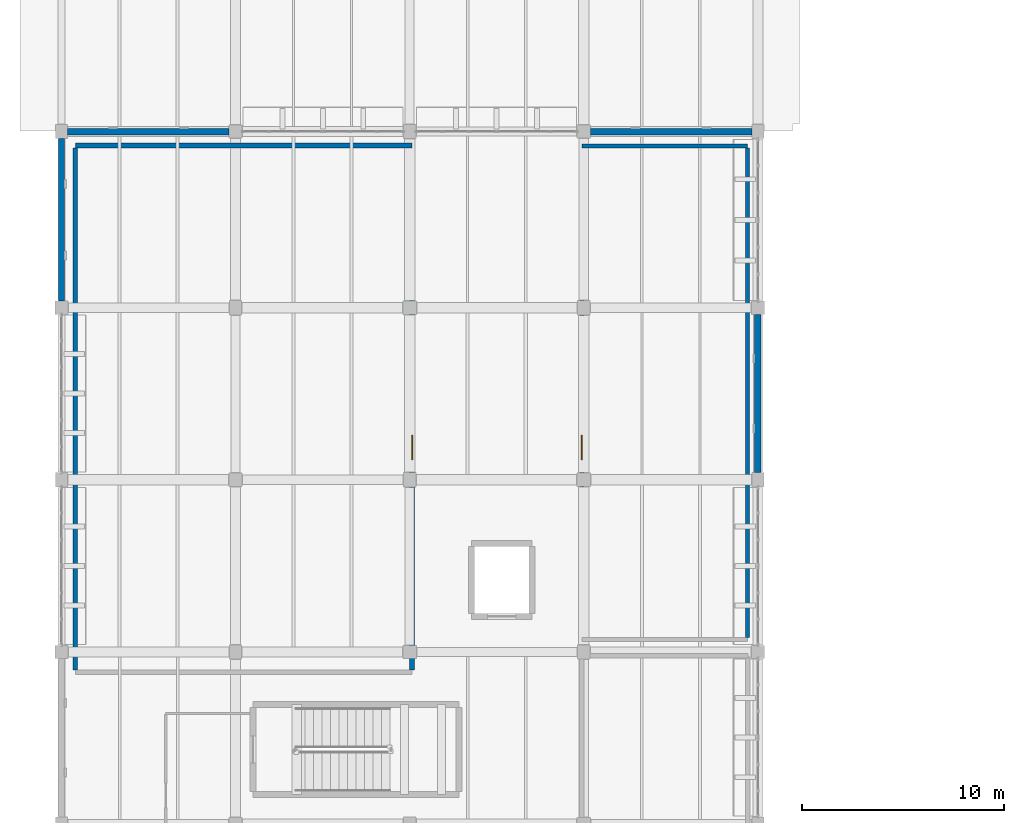
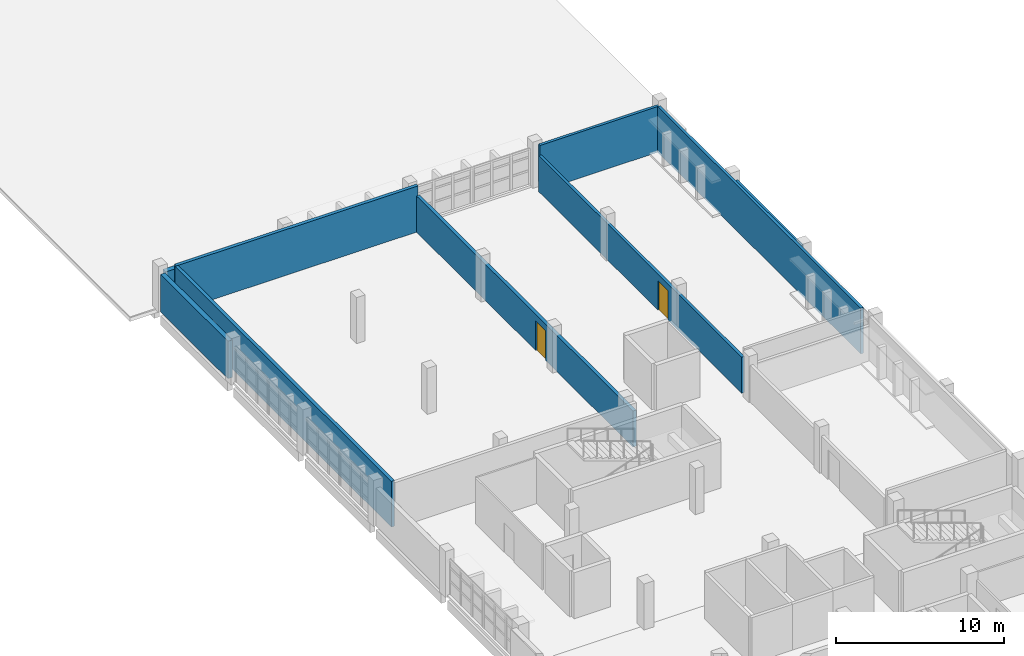
# One storey, part 82 of 93: 10 walls, 2 doors, 2 openings.
"""IFC4 building model written with IfcOpenShell, lengths in metres."""

from ifc_helpers import new_model, si_unit, direction, frame, frame_2d, origin, place, context, subcontext, project, spatial, rectangle, extrude, material, layer, layer_set, type_object, element, fill, save


model = new_model("IFC4")

# Units and contexts
model_context = context("Model", 3, precision=1e-05, world=origin(), true_north=direction((0.0, 1.0)))
body_context = subcontext(model_context, "Body", "Model", "MODEL_VIEW")
ifc_project = project(units=[si_unit("LENGTHUNIT", "METRE"), si_unit("AREAUNIT", "SQUARE_METRE"), si_unit("VOLUMEUNIT", "CUBIC_METRE"), si_unit("PLANEANGLEUNIT", "RADIAN"), si_unit("MASSUNIT", "GRAM", prefix="KILO")], contexts=[model_context])

# Site, building, storey
site_placement = place(None, origin())
site = spatial("IfcSite", under=ifc_project, at=site_placement, CompositionType="ELEMENT")
building_placement = place(site_placement, origin())
building = spatial("IfcBuilding", under=site, at=building_placement, Name="Varnakota Cinema and Media Centre", CompositionType="ELEMENT")
storey_placement = place(building_placement, frame((0.0, 0.0, 12.0)))
storey = spatial("IfcBuildingStorey", under=building, at=storey_placement, Name="L03", CompositionType="ELEMENT", Elevation=12.0)

# Walls
ifc_material_1 = material(Name="Autoclaved aerated concrete blockwork", Category="masonry")
ifc_layer_1 = layer(ifc_material_1, 0.22998046875)
ifc_layer_set_1 = layer_set([ifc_layer_1], Name="Autoclaved aerated concrete blockwork")
wall_type_1 = type_object("IfcWallType", Name="W-BOX-230", PredefinedType="PARTITIONING", material=ifc_layer_set_1)
wall_1_placement = place(storey_placement, frame((0.68505859375, 51.60009765625, 0.0), z_axis=(0.0, 0.0, 1.0), x_axis=(0.0, 1.0, 0.0)))
element("IfcWall", 1, at=wall_1_placement, inside=storey, type_object=wall_type_1, Name="L03 RWALL-RM-L03-POD W wall", PredefinedType="PARTITIONING", context=body_context, shape_type="SweptSolid", body=[
    extrude(rectangle(XDim=25.7998046875, YDim=0.22998046875, at=frame_2d((12.89990234375, 0.0))), origin(), (0.0, 0.0, 1.0), 3.330078125),
])
wall_2_placement = place(storey_placement, frame((0.68505859375, 77.514892578125, 0.0), z_axis=(0.0, 0.0, 1.0), x_axis=(1.0, 0.0, 0.0)))
element("IfcWall", 2, at=wall_2_placement, inside=storey, type_object=wall_type_1, Name="L03 RWALL-RM-L03-POD N wall", PredefinedType="PARTITIONING", context=body_context, shape_type="SweptSolid", body=[
    extrude(rectangle(XDim=16.6298828125, YDim=0.22998046875, at=frame_2d((8.31494140625, 0.0))), origin(), (0.0, 0.0, 1.0), 3.330078125),
])

# Wall, opening, door
wall_3_placement = place(storey_placement, frame((17.31494140625, 77.39990234375, 0.0), z_axis=(0.0, 0.0, 1.0), x_axis=(0.0, -1.0, 0.0)))
wall_3 = element("IfcWall", 3, at=wall_3_placement, inside=storey, type_object=wall_type_1, Name="L03 RWALL-RM-L03-POD E wall", PredefinedType="PARTITIONING", context=body_context, shape_type="SweptSolid", body=[
    extrude(rectangle(XDim=25.7998046875, YDim=0.22998046875, at=frame_2d((12.89990234375, 0.0))), origin(), (0.0, 0.0, 1.0), 2.6298828125),
])
opening_1_placement = place(wall_3_placement, frame((14.199951171875, 0.0, 0.0)))
opening_1 = element("IfcOpeningElement", 4, at=opening_1_placement, cuts=wall_3, Name="Opening D-094", PredefinedType="OPENING", context=body_context, shape_type="SweptSolid", body=[
    extrude(rectangle(XDim=1.199951171875, YDim=2.14990234375, at=frame_2d((0.60009765625, 1.074951171875))), frame((0.0, 0.114990234375, 0.0), z_axis=(0.0, -1.0, 0.0), x_axis=(1.0, 0.0, 0.0)), (0.0, 0.0, 1.0), 0.22998046875),
])
ifc_material_2 = material(Name="Thermally broken anodised aluminium AW-6063", Category="aluminium")
door_type = type_object("IfcDoorType", Name="DR-STD-1200x2150", OperationType="NOTDEFINED", PredefinedType="DOOR", material=ifc_material_2)
door_1_placement = place(opening_1_placement, origin())
door_1 = element("IfcDoor", 5, at=door_1_placement, inside=storey, type_object=door_type, Name="L03 door D-094", OperationType="SINGLE_SWING_RIGHT", OverallHeight=2.14990234375, OverallWidth=1.199951171875, PredefinedType="DOOR", context=body_context, shape_type="SweptSolid", body=[
    extrude(rectangle(XDim=1.199951171875, YDim=2.14990234375, at=frame_2d((0.60009765625, 1.074951171875))), frame((0.0, 0.02490234375, 0.0), z_axis=(0.0, -1.0, 0.0), x_axis=(1.0, 0.0, 0.0)), (0.0, 0.0, 1.0), 0.050048828125),
])
fill(opening_1, door_1)

# Walls
ifc_material_3 = material(Name="Deccan grey granite ashlar", Category="masonry")
ifc_layer_2 = layer(ifc_material_3, 0.320068359375)
ifc_layer_set_2 = layer_set([ifc_layer_2], Name="Deccan grey granite ashlar")
wall_type_2 = type_object("IfcWallType", Name="W-EXT-GRAN-320", PredefinedType="SOLIDWALL", material=ifc_layer_set_2)
wall_4_placement = place(storey_placement, frame((34.39990234375, 61.35009765625, 0.0), z_axis=(0.0, 0.0, 1.0), x_axis=(0.0, 1.0, 0.0)))
element("IfcWall", 6, at=wall_4_placement, inside=storey, type_object=wall_type_2, Name="L03 exterior wall V5-E-4", PredefinedType="SOLIDWALL", context=body_context, shape_type="SweptSolid", body=[
    extrude(rectangle(XDim=7.824951171875, YDim=0.320068359375, at=frame_2d((3.91259765625, 0.0))), origin(), (0.0, 0.0, 1.0), 2.735107421875),
])
wall_5_placement = place(storey_placement, frame((0.300048828125, 78.199951171875, 0.0), z_axis=(0.0, 0.0, 1.0), x_axis=(1.0, 0.0, 0.0)))
element("IfcWall", 7, at=wall_5_placement, inside=storey, type_object=wall_type_2, Name="L03 exterior wall V5-N-1", PredefinedType="SOLIDWALL", context=body_context, shape_type="SweptSolid", body=[
    extrude(rectangle(XDim=7.974853515625, YDim=0.320068359375, at=frame_2d((3.9873046875, 0.0))), origin(), (0.0, 0.0, 1.0), 2.635009765625),
])
wall_6_placement = place(storey_placement, frame((26.125, 78.199951171875, 0.0), z_axis=(0.0, 0.0, 1.0), x_axis=(1.0, 0.0, 0.0)))
element("IfcWall", 8, at=wall_6_placement, inside=storey, type_object=wall_type_2, Name="L03 exterior wall V5-N-4", PredefinedType="SOLIDWALL", context=body_context, shape_type="SweptSolid", body=[
    extrude(rectangle(XDim=7.97509765625, YDim=0.320068359375, at=frame_2d((3.987548828125, 0.0))), origin(), (0.0, 0.0, 1.0), 2.635009765625),
])
wall_7_placement = place(storey_placement, frame((0.0, 77.85009765625, 0.0), z_axis=(0.0, 0.0, 1.0), x_axis=(0.0, -1.0, 0.0)))
element("IfcWall", 9, at=wall_7_placement, inside=storey, type_object=wall_type_2, Name="L03 exterior wall V5-W-1", PredefinedType="SOLIDWALL", context=body_context, shape_type="SweptSolid", body=[
    extrude(rectangle(XDim=8.025146484375, YDim=0.320068359375, at=frame_2d((4.0126953125, 0.0))), origin(), (0.0, 0.0, 1.0), 2.735107421875),
])

# Wall, opening, door
ifc_material_4 = material(Name="Autoclaved aerated concrete blockwork", Category="masonry")
ifc_layer_3 = layer(ifc_material_4, 0.18994140625)
ifc_layer_set_3 = layer_set([ifc_layer_3], Name="Autoclaved aerated concrete blockwork")
wall_type_3 = type_object("IfcWallType", Name="W-PART-190", PredefinedType="PARTITIONING", material=ifc_layer_set_3)
wall_8_placement = place(storey_placement, frame((25.705078125, 53.199951171875, 0.0), z_axis=(0.0, 0.0, 1.0), x_axis=(0.0, 1.0, 0.0)))
wall_8 = element("IfcWall", 10, at=wall_8_placement, inside=storey, type_object=wall_type_3, Name="L03 RWALL-RM-L03-CANTEEN W wall", PredefinedType="PARTITIONING", context=body_context, shape_type="SweptSolid", body=[
    extrude(rectangle(XDim=24.199951171875, YDim=0.18994140625, at=frame_2d((12.10009765625, 0.0))), origin(), (0.0, 0.0, 1.0), 2.6298828125),
])
opening_2_placement = place(wall_8_placement, frame((8.800048828125, 0.0, 0.0)))
opening_2 = element("IfcOpeningElement", 11, at=opening_2_placement, cuts=wall_8, Name="Opening D-095", PredefinedType="OPENING", context=body_context, shape_type="SweptSolid", body=[
    extrude(rectangle(XDim=1.199951171875, YDim=2.14990234375, at=frame_2d((0.60009765625, 1.074951171875))), frame((0.0, 0.094970703125, 0.0), z_axis=(0.0, -1.0, 0.0), x_axis=(1.0, 0.0, 0.0)), (0.0, 0.0, 1.0), 0.18994140625),
])
door_2_placement = place(opening_2_placement, origin())
door_2 = element("IfcDoor", 12, at=door_2_placement, inside=storey, type_object=door_type, Name="L03 door D-095", OperationType="SINGLE_SWING_LEFT", OverallHeight=2.14990234375, OverallWidth=1.199951171875, PredefinedType="DOOR", context=body_context, shape_type="SweptSolid", body=[
    extrude(rectangle(XDim=1.199951171875, YDim=2.14990234375, at=frame_2d((0.60009765625, 1.074951171875))), frame((0.0, 0.02490234375, 0.0), z_axis=(0.0, -1.0, 0.0), x_axis=(1.0, 0.0, 0.0)), (0.0, 0.0, 1.0), 0.050048828125),
])
fill(opening_2, door_2)

# Walls
wall_9_placement = place(storey_placement, frame((25.705078125, 77.4951171875, 0.0), z_axis=(0.0, 0.0, 1.0), x_axis=(1.0, 0.0, 0.0)))
element("IfcWall", 13, at=wall_9_placement, inside=storey, type_object=wall_type_3, Name="L03 RWALL-RM-L03-CANTEEN N wall", PredefinedType="PARTITIONING", context=body_context, shape_type="SweptSolid", body=[
    extrude(rectangle(XDim=8.18994140625, YDim=0.18994140625, at=frame_2d((4.094970703125, 0.0))), origin(), (0.0, 0.0, 1.0), 3.330078125),
])
wall_10_placement = place(storey_placement, frame((33.89501953125, 77.39990234375, 0.0), z_axis=(0.0, 0.0, 1.0), x_axis=(0.0, -1.0, 0.0)))
element("IfcWall", 14, at=wall_10_placement, inside=storey, type_object=wall_type_3, Name="L03 RWALL-RM-L03-CANTEEN E wall", PredefinedType="PARTITIONING", context=body_context, shape_type="SweptSolid", body=[
    extrude(rectangle(XDim=24.199951171875, YDim=0.18994140625, at=frame_2d((12.10009765625, 0.0))), origin(), (0.0, 0.0, 1.0), 3.330078125),
])

save(model, "model.ifc")
